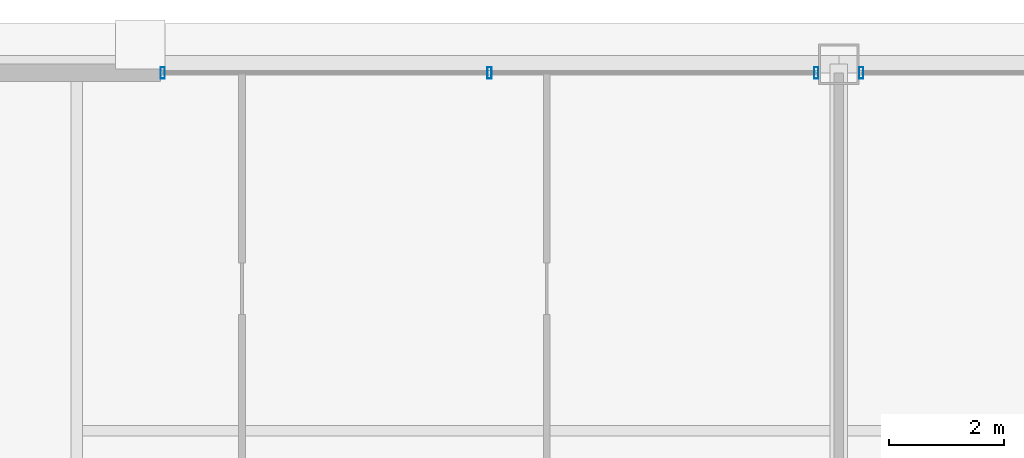
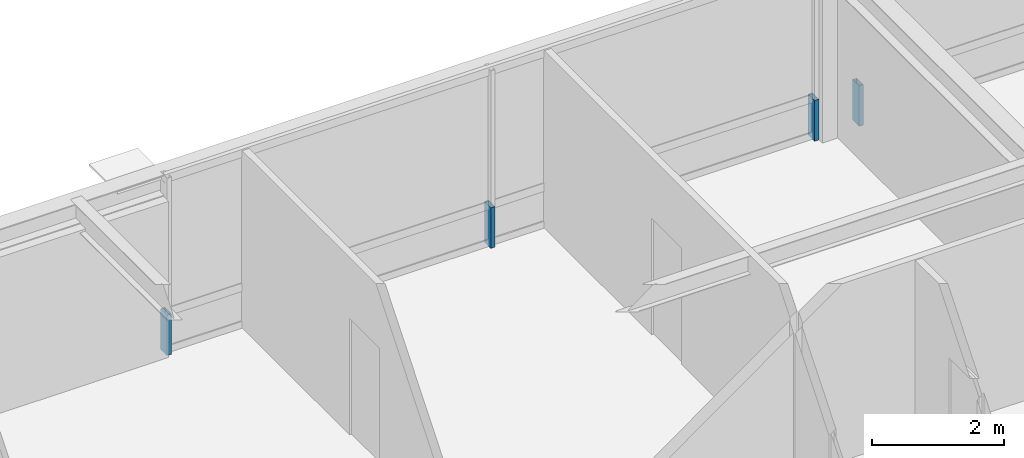
# One storey, part 27 of 35: 4 members, 2 elements without a shape of their own.
"""IFC4 building model written with IfcOpenShell, lengths in metres."""

import ifcopenshell
import ifcopenshell.guid

model = None  # the IFC model being written
_history = None  # IfcOwnerHistory: only IFC2X3 demands one
_inside = {}  # id of a spatial element -> (the spatial element, [elements in it])
_under = {}  # id of a project, library or spatial element -> (it, [spatial elements below it])
_declared = {}  # id of a project -> (the project, [libraries it declares])
_typed = {}  # id of a type object -> (the type object, [elements of that type])
_made_of = {}  # id of a material, layer set ... -> (it, [elements and type objects made of it])


def new_model(schema):
    """Start an empty IFC model of exactly this schema.

    Asked for "IFC4X3", IfcOpenShell would pick the latest addendum, in which some entities
    have other attributes; the version numbers below select the first issue.
    IFC2X3 requires an IfcOwnerHistory on every rooted entity: one is made here for all.
    """
    global model, _history
    if schema == "IFC4X3":
        model = ifcopenshell.file(schema_version=(4, 3, 0, 0))
    else:
        model = ifcopenshell.file(schema=schema)
    _inside.clear()
    _under.clear()
    _declared.clear()
    _typed.clear()
    _made_of.clear()
    _history = None
    if model.schema == "IFC2X3":
        org = make("IfcOrganization", Name="unknown")
        user = make(
            "IfcPersonAndOrganization",
            ThePerson=make("IfcPerson", FamilyName="unknown"),
            TheOrganization=org,
        )
        app = make(
            "IfcApplication",
            ApplicationDeveloper=org,
            Version="unknown",
            ApplicationFullName="unknown",
            ApplicationIdentifier="unknown",
        )
        _history = make(
            "IfcOwnerHistory",
            OwningUser=user,
            OwningApplication=app,
            ChangeAction="ADDED",
            CreationDate=0,
        )
    return model


def make(cls, **values):
    """One entity of the class cls with the attributes given. An attribute that is None is left unset."""
    return model.create_entity(
        cls, **{name: value for name, value in values.items() if value is not None}
    )


def rooted(cls, **values):
    """An entity with a GlobalId (a new one), such as an element, a storey or a relation."""
    return make(cls, GlobalId=ifcopenshell.guid.new(), OwnerHistory=_history, **values)


def si_unit(unit_type, name, prefix=None):
    """IfcSIUnit, for example si_unit("LENGTHUNIT", "METRE", prefix="MILLI")."""
    return make("IfcSIUnit", UnitType=unit_type, Prefix=prefix, Name=name)


def assignment(units):
    """IfcUnitAssignment: the units of a project."""
    return None if units is None else make("IfcUnitAssignment", Units=units)


def point(xyz):
    """IfcCartesianPoint."""
    return None if xyz is None else make("IfcCartesianPoint", Coordinates=xyz)


def direction(xyz):
    """IfcDirection."""
    return None if xyz is None else make("IfcDirection", DirectionRatios=xyz)


def frame(location, z_axis=None, x_axis=None):
    """IfcAxis2Placement3D, a coordinate frame: its origin and axes. An axis left out is left unset."""
    return make(
        "IfcAxis2Placement3D",
        Location=point(location),
        Axis=direction(z_axis),
        RefDirection=direction(x_axis),
    )


def frame_2d(location, x_axis=None):
    """IfcAxis2Placement2D, a coordinate frame in the plane: its origin and x axis."""
    return make(
        "IfcAxis2Placement2D", Location=point(location), RefDirection=direction(x_axis)
    )


def origin():
    """The frame at (0, 0, 0) with its axes left unset."""
    return frame((0.0, 0.0, 0.0))


def origin_2d():
    """The frame at (0, 0) in the plane with its x axis left unset."""
    return frame_2d((0.0, 0.0))


def place(relative_to, where):
    """IfcLocalPlacement: puts the frame where relative to a parent placement (None: the world)."""
    return make(
        "IfcLocalPlacement", PlacementRelTo=relative_to, RelativePlacement=where
    )


def context(
    kind, dimensions, precision=None, world=None, true_north=None, identifier=None
):
    """IfcGeometricRepresentationContext, for example the 3D "Model" context."""
    return make(
        "IfcGeometricRepresentationContext",
        ContextIdentifier=identifier,
        ContextType=kind,
        CoordinateSpaceDimension=dimensions,
        Precision=precision,
        WorldCoordinateSystem=world,
        TrueNorth=true_north,
    )


def subcontext(parent, identifier, kind, view, scale=None):
    """IfcGeometricRepresentationSubContext, for example "Body" below "Model"."""
    return make(
        "IfcGeometricRepresentationSubContext",
        ContextIdentifier=identifier,
        ContextType=kind,
        ParentContext=parent,
        TargetScale=scale,
        TargetView=view,
    )


def project(units=None, contexts=None):
    """IfcProject with its units and contexts."""
    return rooted(
        "IfcProject",
        Name="project",
        RepresentationContexts=contexts,
        UnitsInContext=assignment(units),
    )


def spatial(cls, under=None, at=None, **own):
    """A site, building, storey or space (cls), placed at a placement, below another one or the project."""
    s = rooted(cls, ObjectPlacement=at, **own)
    if under is not None:
        _under.setdefault(under.id(), (under, []))[1].append(s)
    return s


def profile(cls, at=None, kind="AREA", **sizes):
    """A parametric profile (cls). Its sizes go by their IFC names, for example OverallWidth=200.0."""
    return make(cls, ProfileType=kind, Position=at, **sizes)


def hollow_rectangle(**sizes):
    """IfcRectangleHollowProfileDef."""
    return profile("IfcRectangleHollowProfileDef", **sizes)


def extrude(swept, where, along, depth):
    """IfcExtrudedAreaSolid: the profile swept, set in the frame where, extruded along a direction by depth."""
    return make(
        "IfcExtrudedAreaSolid",
        SweptArea=swept,
        Position=where,
        ExtrudedDirection=direction(along),
        Depth=depth,
    )


def shape(context_of_items, identifier, shape_type, items):
    """IfcShapeRepresentation: the items that make up one representation, for example the "Body"."""
    return make(
        "IfcShapeRepresentation",
        ContextOfItems=context_of_items,
        RepresentationIdentifier=identifier,
        RepresentationType=shape_type,
        Items=items,
    )


def source(mapping_origin, context_of_items, identifier, shape_type, items):
    """IfcRepresentationMap: a shape defined once, which mapped items show again and again."""
    return make(
        "IfcRepresentationMap",
        MappingOrigin=mapping_origin,
        MappedRepresentation=shape(context_of_items, identifier, shape_type, items),
    )


def transform(
    local_origin,
    x_axis=None,
    y_axis=None,
    z_axis=None,
    scale=None,
    scale2=None,
    scale3=None,
    uniform=True,
):
    """IfcCartesianTransformationOperator3D, or its non-uniform kind. x_axis, y_axis, z_axis: its Axis1, 2, 3."""
    if uniform:
        return make(
            "IfcCartesianTransformationOperator3D",
            Axis1=direction(x_axis),
            Axis2=direction(y_axis),
            LocalOrigin=point(local_origin),
            Scale=scale,
            Axis3=direction(z_axis),
        )
    return make(
        "IfcCartesianTransformationOperator3DnonUniform",
        Axis1=direction(x_axis),
        Axis2=direction(y_axis),
        LocalOrigin=point(local_origin),
        Scale=scale,
        Axis3=direction(z_axis),
        Scale2=scale2,
        Scale3=scale3,
    )


def mapped(mapping_source, mapping_target):
    """IfcMappedItem: shows the shape of a source again, moved by a transform."""
    return make(
        "IfcMappedItem", MappingSource=mapping_source, MappingTarget=mapping_target
    )


def material(Name=None, Category=None):
    """IfcMaterial."""
    return make("IfcMaterial", Name=Name, Category=Category)


def layer(
    of_material, thickness, ventilated=None, Name=None, Category=None, Priority=None
):
    """IfcMaterialLayer: one layer of a wall or slab, of a material (None: an air gap)."""
    return make(
        "IfcMaterialLayer",
        Material=of_material,
        LayerThickness=thickness,
        IsVentilated=ventilated,
        Name=Name,
        Category=Category,
        Priority=Priority,
    )


def layer_set(layers, Name=None):
    """IfcMaterialLayerSet."""
    return make("IfcMaterialLayerSet", MaterialLayers=layers, LayerSetName=Name)


def material_profile(
    of_material, cross_section, Name=None, Category=None, Priority=None
):
    """IfcMaterialProfile: a cross section and its material."""
    return make(
        "IfcMaterialProfile",
        Name=Name,
        Material=of_material,
        Profile=cross_section,
        Priority=Priority,
        Category=Category,
    )


def profile_set(profiles, Name=None, composite=None):
    """IfcMaterialProfileSet."""
    return make(
        "IfcMaterialProfileSet",
        Name=Name,
        MaterialProfiles=profiles,
        CompositeProfile=composite,
    )


def made_of(thing, what):
    """Note that an element or type object is made of a material, layer set ...; save() writes the relation."""
    if what is not None:
        _made_of.setdefault(what.id(), (what, []))[1].append(thing)
    return thing


def type_object(cls, material=None, **own):
    """A type object (cls), such as IfcWallType, which elements share."""
    return made_of(rooted(cls, **own), material)


def element(
    cls,
    number,
    at=None,
    inside=None,
    cuts=None,
    type_object=None,
    material=None,
    context=None,
    identifier="Body",
    shape_type=None,
    held_by="IfcProductDefinitionShape",
    body=None,
    shapes=None,
    **own,
):
    """One element of the class cls, such as IfcWall. Its Tag is "e" and its number.

    at: its placement. inside: the storey or other place that contains it. cuts: it is an
    opening in that element (IfcRelVoidsElement). A single representation is given by context,
    identifier, shape_type and body (its items); several are given by shapes. held_by: the class
    of the entity that holds the representations. save() writes the other relations.
    """
    e = rooted(cls, Tag="e%d" % number, ObjectPlacement=at, **own)
    if body is not None:
        shapes = [shape(context, identifier, shape_type, body)]
    if shapes is not None:
        e.Representation = make(held_by, Representations=shapes)
    if inside is not None:
        _inside.setdefault(inside.id(), (inside, []))[1].append(e)
    if cuts is not None:
        rooted(
            "IfcRelVoidsElement", RelatingBuildingElement=cuts, RelatedOpeningElement=e
        )
    if type_object is not None:
        _typed.setdefault(type_object.id(), (type_object, []))[1].append(e)
    return made_of(e, material)


def aggregate(whole, parts):
    """IfcRelAggregates: a whole, such as a stair, and the parts it consists of."""
    return rooted("IfcRelAggregates", RelatingObject=whole, RelatedObjects=parts)


def save(model, path):
    """Write the relations noted so far, then the file.

    IfcRelAggregates (storeys below a building ...), IfcRelContainedInSpatialStructure (elements
    in a storey), IfcRelDefinesByType, IfcRelAssociatesMaterial and IfcRelDeclares: one each for
    every whole, place, type object, material and project.
    """
    for whole, parts in _under.values():
        aggregate(whole, parts)
    for where, things in _inside.values():
        rooted(
            "IfcRelContainedInSpatialStructure",
            RelatedElements=things,
            RelatingStructure=where,
        )
    for kind, things in _typed.values():
        rooted("IfcRelDefinesByType", RelatedObjects=things, RelatingType=kind)
    for what, things in _made_of.values():
        rooted("IfcRelAssociatesMaterial", RelatedObjects=things, RelatingMaterial=what)
    for by, libraries in _declared.values():
        rooted("IfcRelDeclares", RelatingContext=by, RelatedDefinitions=libraries)
    model.write(path)


model = new_model("IFC4")

# Units and contexts
model_context = context("Model", 3, precision=1e-05, world=origin(), true_north=direction((0.0, 1.0)))
body_context = subcontext(model_context, "Body", "Model", "MODEL_VIEW")
ifc_project = project(units=[si_unit("LENGTHUNIT", "METRE"), si_unit("AREAUNIT", "SQUARE_METRE"), si_unit("VOLUMEUNIT", "CUBIC_METRE"), si_unit("PLANEANGLEUNIT", "RADIAN"), si_unit("MASSUNIT", "GRAM", prefix="KILO"), si_unit("THERMODYNAMICTEMPERATUREUNIT", "KELVIN"), si_unit("POWERUNIT", "WATT")], contexts=[model_context])

# Site, building, storey
site_placement = place(None, origin())
site = spatial("IfcSite", under=ifc_project, at=site_placement, CompositionType="ELEMENT")
building_placement = place(site_placement, origin())
building = spatial("IfcBuilding", under=site, at=building_placement, Name="Yuzanri Waterfront Tower", CompositionType="ELEMENT")
storey_placement = place(building_placement, frame((0.0, 0.0, 318.199951171875)))
storey = spatial("IfcBuildingStorey", under=building, at=storey_placement, Name="L85", CompositionType="ELEMENT", Elevation=318.199951171875)

# Curtain wall, members
ifc_material_1 = material(Name="Anodized Architectural Bronze", Category="metal")
ifc_layer = layer(ifc_material_1, 0.159912109375)
ifc_layer_set = layer_set([ifc_layer], Name="Anodized Architectural Bronze")
curtain_wall_type = type_object("IfcCurtainWallType", Name="Anodized Bronze High-Rise Penthouse High-Wind Unitized Curtain Wall 6900", PredefinedType="NOTDEFINED", material=ifc_layer_set)
curtain_wall_1_placement = place(storey_placement, origin())
curtain_wall_1 = element("IfcCurtainWall", 1, at=curtain_wall_1_placement, inside=storey, type_object=curtain_wall_type, Name="L85 Curtain Wall CW-L85-NL", PredefinedType="NOTDEFINED")
ifc_material_2 = material(Name="Anodized Architectural Bronze", Category="metal")
ifc_material_profile = material_profile(ifc_material_2, hollow_rectangle(XDim=0.074951171875, YDim=0.199951171875, WallThickness=0.00390625, at=origin_2d()), Name="CWM 75x200")
ifc_profile_set = profile_set([ifc_material_profile], Name="Anodized Architectural Bronze")
member_type = type_object("IfcMemberType", Name="Anodized Bronze Primary Curtain-Wall Mullion 75x200", PredefinedType="MULLION", material=ifc_profile_set)
shared_shape = source(origin(), body_context, "Body", "SweptSolid", [
    extrude(hollow_rectangle(XDim=0.074951171875, YDim=0.199951171875, WallThickness=0.00390625, at=origin_2d()), origin(), (0.0, 0.0, 1.0), 0.751953125),
])
member_1_placement = place(storey_placement, frame((25.2900390625, 44.75, 0.0), z_axis=(0.0, 0.0, 1.0), x_axis=(1.0, 0.0, 0.0)))
member_1 = element("IfcMember", 2, at=member_1_placement, type_object=member_type, Name="CW-L85-NL Lower Mullion 00", PredefinedType="MULLION", context=body_context, shape_type="MappedRepresentation", body=[
    mapped(shared_shape, transform((0.0, 0.0, 0.0), scale=1.0)),
])
member_2_placement = place(storey_placement, frame((30.949951171875, 44.75, 0.0), z_axis=(0.0, 0.0, 1.0), x_axis=(1.0, 0.0, 0.0)))
member_2 = element("IfcMember", 3, at=member_2_placement, type_object=member_type, Name="CW-L85-NL Lower Mullion 01", PredefinedType="MULLION", context=body_context, shape_type="MappedRepresentation", body=[
    mapped(shared_shape, transform((0.0, 0.0, 0.0), scale=1.0)),
])
member_3_placement = place(storey_placement, frame((36.610107421875, 44.75, 0.0), z_axis=(0.0, 0.0, 1.0), x_axis=(1.0, 0.0, 0.0)))
member_3 = element("IfcMember", 4, at=member_3_placement, type_object=member_type, Name="CW-L85-NL Lower Mullion 02", PredefinedType="MULLION", context=body_context, shape_type="MappedRepresentation", body=[
    mapped(shared_shape, transform((0.0, 0.0, 0.0), scale=1.0)),
])
aggregate(curtain_wall_1, [member_1, member_2, member_3])

# Curtain wall, member
curtain_wall_2_placement = place(storey_placement, origin())
curtain_wall_2 = element("IfcCurtainWall", 5, at=curtain_wall_2_placement, inside=storey, type_object=curtain_wall_type, Name="L85 Curtain Wall CW-L85-NR", PredefinedType="NOTDEFINED")
member_4_placement = place(storey_placement, frame((37.389892578125, 44.75, 0.0), z_axis=(0.0, 0.0, 1.0), x_axis=(1.0, 0.0, 0.0)))
member_4 = element("IfcMember", 6, at=member_4_placement, type_object=member_type, Name="CW-L85-NR Lower Mullion 00", PredefinedType="MULLION", context=body_context, shape_type="MappedRepresentation", body=[
    mapped(shared_shape, transform((0.0, 0.0, 0.0), scale=1.0)),
])
aggregate(curtain_wall_2, [member_4])

save(model, "model.ifc")
